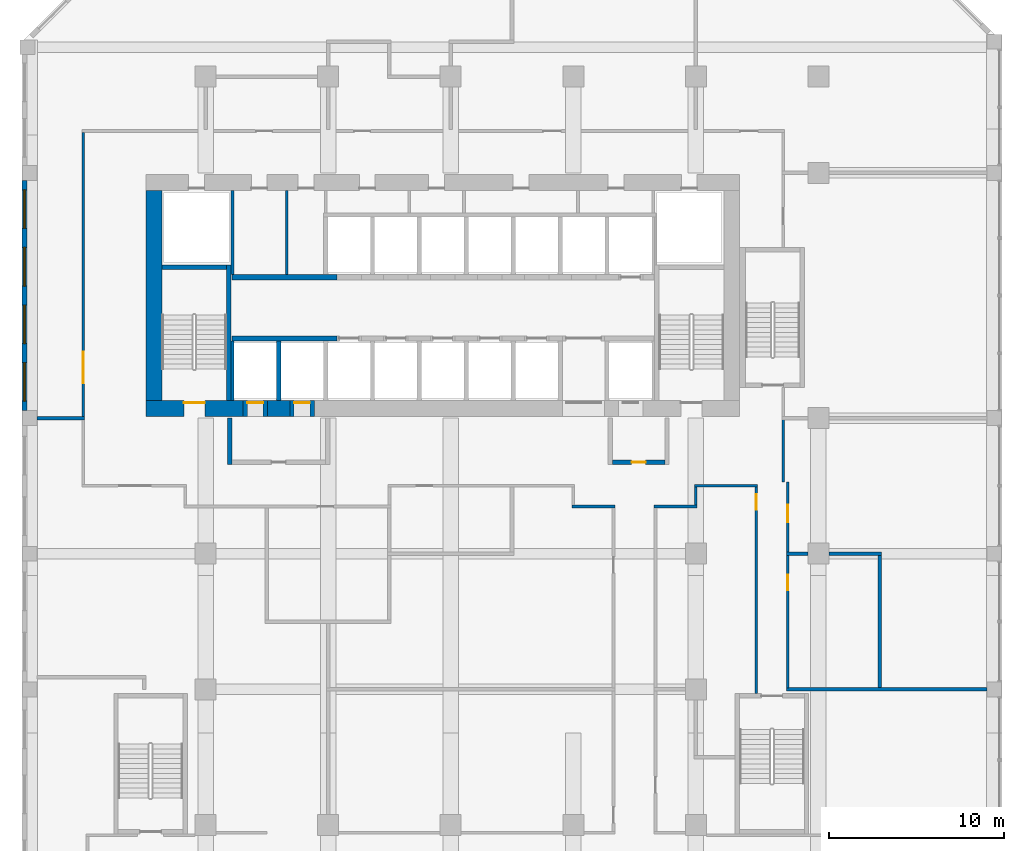
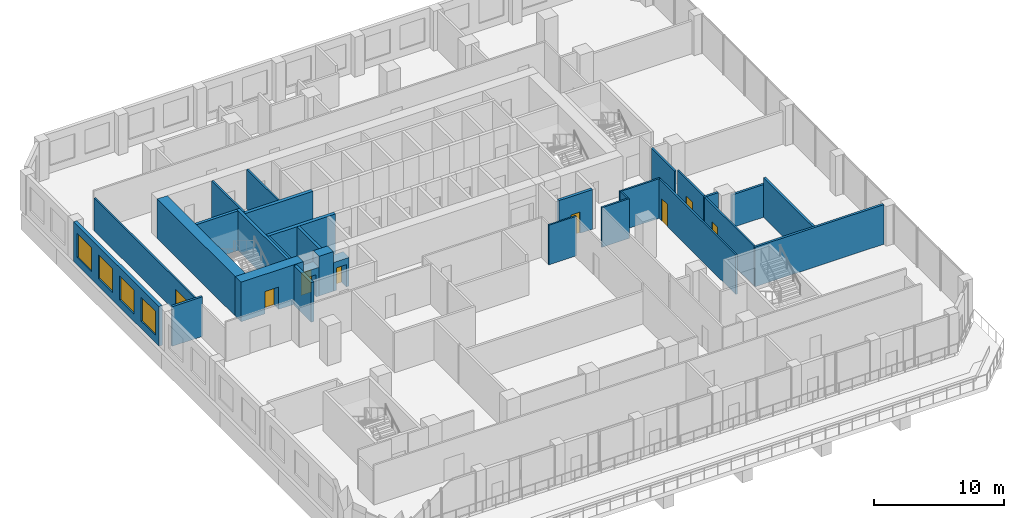
# One storey, part 11 of 17: 30 walls, 8 doors, 4 windows, 12 openings.
"""IFC4 building model written with IfcOpenShell, lengths in metres."""

from ifc_helpers import new_model, si_unit, direction, frame, frame_2d, origin, place, context, subcontext, project, spatial, rectangle, extrude, source, transform, mapped, material, layer, layer_set, type_object, element, fill, save


model = new_model("IFC4")

# Units and contexts
model_context = context("Model", 3, precision=1e-05, world=origin(), true_north=direction((0.0, 1.0)))
body_context = subcontext(model_context, "Body", "Model", "MODEL_VIEW")
ifc_project = project(units=[si_unit("LENGTHUNIT", "METRE"), si_unit("AREAUNIT", "SQUARE_METRE"), si_unit("VOLUMEUNIT", "CUBIC_METRE"), si_unit("PLANEANGLEUNIT", "RADIAN"), si_unit("MASSUNIT", "GRAM", prefix="KILO")], contexts=[model_context])

# Site, building, storey
site_placement = place(None, origin())
site = spatial("IfcSite", under=ifc_project, at=site_placement, CompositionType="ELEMENT")
building_placement = place(site_placement, origin())
building = spatial("IfcBuilding", under=site, at=building_placement, Name="Kilnfold Tower and Market Hall", CompositionType="ELEMENT")
storey_placement = place(building_placement, frame((0.0, 0.0, 100.60009765625)))
storey = spatial("IfcBuildingStorey", under=building, at=storey_placement, Name="L23", CompositionType="ELEMENT", Elevation=100.60009765625)

# Wall
ifc_material_1 = material(Name="Gypsum board on steel studs", Category="steel")
ifc_layer_1 = layer(ifc_material_1, 0.14990234375)
ifc_layer_set_1 = layer_set([ifc_layer_1], Name="Gypsum board on steel studs")
wall_type_1 = type_object("IfcWallType", Name="WALL CORRIDOR 150", PredefinedType="PARTITIONING", material=ifc_layer_set_1)
wall_1_placement = place(storey_placement, frame((8.425048828125, 2.949951171875, 0.0), z_axis=(0.0, 0.0, 1.0), x_axis=(1.0, 0.0, 0.0)))
element("IfcWall", 1, at=wall_1_placement, inside=storey, type_object=wall_type_1, Name="Partition LY16.17", PredefinedType="PARTITIONING", context=body_context, shape_type="SweptSolid", body=[
    extrude(rectangle(XDim=2.449951171875, YDim=0.14990234375, at=frame_2d((1.22509765625, 0.0))), origin(), (0.0, 0.0, 1.0), 3.719970703125),
])

# Wall, opening, door
wall_2_placement = place(storey_placement, frame((18.949951171875, 4.050048828125, 0.0), z_axis=(0.0, 0.0, 1.0), x_axis=(0.0, -1.0, 0.0)))
wall_2 = element("IfcWall", 2, at=wall_2_placement, inside=storey, type_object=wall_type_1, Name="Partition LY16.23", PredefinedType="PARTITIONING", context=body_context, shape_type="SweptSolid", body=[
    extrude(rectangle(XDim=11.800048828125, YDim=0.14990234375, at=frame_2d((5.89990234375, 0.0))), origin(), (0.0, 0.0, 1.0), 3.719970703125),
])
opening_1_placement = place(wall_2_placement, frame((0.39990234375, 0.0, 0.0)))
opening_1 = element("IfcOpeningElement", 3, at=opening_1_placement, cuts=wall_2, Name="Opening D2", PredefinedType="OPENING", context=body_context, shape_type="SweptSolid", body=[
    extrude(rectangle(XDim=0.89990234375, YDim=2.10009765625, at=frame_2d((0.449951171875, 1.050048828125))), frame((0.0, 0.0849609375, 0.0), z_axis=(0.0, -1.0, 0.0), x_axis=(1.0, 0.0, 0.0)), (0.0, 0.0, 1.0), 0.169921875),
])
ifc_material_2 = material(Name="Timber veneer door leaf in steel frame", Category="steel")
door_type_1 = type_object("IfcDoorType", Name="DOOR ROOM 900 X2100", OperationType="NOTDEFINED", PredefinedType="DOOR", material=ifc_material_2)
door_1_placement = place(opening_1_placement, origin())
door_1 = element("IfcDoor", 4, at=door_1_placement, inside=storey, type_object=door_type_1, Name="Door D2", OperationType="SINGLE_SWING_LEFT", OverallHeight=2.10009765625, OverallWidth=0.89990234375, PredefinedType="DOOR", context=body_context, shape_type="SweptSolid", body=[
    extrude(rectangle(XDim=0.89990234375, YDim=2.10009765625, at=frame_2d((0.449951171875, 1.050048828125))), frame((0.0, 0.02490234375, 0.0), z_axis=(0.0, -1.0, 0.0), x_axis=(1.0, 0.0, 0.0)), (0.0, 0.0, 1.0), 0.050048828125),
])
fill(opening_1, door_1)

# Walls
wall_3_placement = place(storey_placement, frame((15.425048828125, 4.125, 0.0), z_axis=(0.0, 0.0, 1.0), x_axis=(1.0, 0.0, 0.0)))
element("IfcWall", 5, at=wall_3_placement, inside=storey, type_object=wall_type_1, Name="Partition LY16.24", PredefinedType="PARTITIONING", context=body_context, shape_type="SweptSolid", body=[
    extrude(rectangle(XDim=3.599853515625, YDim=0.14990234375, at=frame_2d((1.7998046875, 0.0))), origin(), (0.0, 0.0, 1.0), 3.719970703125),
])
wall_4_placement = place(storey_placement, frame((15.5, 3.02490234375, 0.0), z_axis=(0.0, 0.0, 1.0), x_axis=(0.0, 1.0, 0.0)))
element("IfcWall", 6, at=wall_4_placement, inside=storey, type_object=wall_type_1, Name="Partition LY16.25", PredefinedType="PARTITIONING", context=body_context, shape_type="SweptSolid", body=[
    extrude(rectangle(XDim=1.025146484375, YDim=0.14990234375, at=frame_2d((0.5126953125, 0.0))), origin(), (0.0, 0.0, 1.0), 3.719970703125),
])
wall_5_placement = place(storey_placement, frame((13.125, 2.949951171875, 0.0), z_axis=(0.0, 0.0, 1.0), x_axis=(1.0, 0.0, 0.0)))
element("IfcWall", 7, at=wall_5_placement, inside=storey, type_object=wall_type_1, Name="Partition LY16.26", PredefinedType="PARTITIONING", context=body_context, shape_type="SweptSolid", body=[
    extrude(rectangle(XDim=2.449951171875, YDim=0.14990234375, at=frame_2d((1.22509765625, 0.0))), origin(), (0.0, 0.0, 1.0), 3.719970703125),
])

# Wall, opening, door
wall_6_placement = place(storey_placement, frame((20.75, -7.409912109375, 0.0), z_axis=(0.0, 0.0, 1.0), x_axis=(0.0, 1.0, 0.0)))
wall_6 = element("IfcWall", 8, at=wall_6_placement, inside=storey, type_object=wall_type_1, Name="Partition LY16.28", PredefinedType="PARTITIONING", context=body_context, shape_type="SweptSolid", body=[
    extrude(rectangle(XDim=7.56982421875, YDim=0.14990234375, at=frame_2d((3.784912109375, 0.0))), origin(), (0.0, 0.0, 1.0), 3.719970703125),
])
opening_2_placement = place(wall_6_placement, frame((5.56005859375, 0.0, 0.0)))
opening_2 = element("IfcOpeningElement", 9, at=opening_2_placement, cuts=wall_6, Name="Opening D2", PredefinedType="OPENING", context=body_context, shape_type="SweptSolid", body=[
    extrude(rectangle(XDim=0.89990234375, YDim=2.10009765625, at=frame_2d((0.449951171875, 1.050048828125))), frame((0.0, 0.0849609375, 0.0), z_axis=(0.0, -1.0, 0.0), x_axis=(1.0, 0.0, 0.0)), (0.0, 0.0, 1.0), 0.169921875),
])
door_2_placement = place(opening_2_placement, origin())
door_2 = element("IfcDoor", 10, at=door_2_placement, inside=storey, type_object=door_type_1, Name="Door D2", OperationType="SINGLE_SWING_RIGHT", OverallHeight=2.10009765625, OverallWidth=0.89990234375, PredefinedType="DOOR", context=body_context, shape_type="SweptSolid", body=[
    extrude(rectangle(XDim=0.89990234375, YDim=2.10009765625, at=frame_2d((0.449951171875, 1.050048828125))), frame((0.0, 0.02490234375, 0.0), z_axis=(0.0, -1.0, 0.0), x_axis=(1.0, 0.0, 0.0)), (0.0, 0.0, 1.0), 0.050048828125),
])
fill(opening_2, door_2)

# Wall
wall_7_placement = place(storey_placement, frame((20.5, 4.35009765625, 0.0), z_axis=(0.0, 0.0, 1.0), x_axis=(0.0, 1.0, 0.0)))
element("IfcWall", 11, at=wall_7_placement, inside=storey, type_object=wall_type_1, Name="Partition LY16.29", PredefinedType="PARTITIONING", context=body_context, shape_type="SweptSolid", body=[
    extrude(rectangle(XDim=3.559814453125, YDim=0.14990234375, at=frame_2d((1.77978515625, 0.0))), origin(), (0.0, 0.0, 1.0), 3.719970703125),
])

# Wall, opening, door
wall_8_placement = place(storey_placement, frame((20.75, 0.340087890625, 0.0), z_axis=(0.0, 0.0, 1.0), x_axis=(0.0, 1.0, 0.0)))
wall_8 = element("IfcWall", 12, at=wall_8_placement, inside=storey, type_object=wall_type_1, Name="Partition LY16.30", PredefinedType="PARTITIONING", context=body_context, shape_type="SweptSolid", body=[
    extrude(rectangle(XDim=4.010009765625, YDim=0.14990234375, at=frame_2d((2.0048828125, 0.0))), origin(), (0.0, 0.0, 1.0), 3.719970703125),
])
opening_3_placement = place(wall_8_placement, frame((1.7060546875, 0.0, 0.0)))
opening_3 = element("IfcOpeningElement", 13, at=opening_3_placement, cuts=wall_8, Name="Opening D1", PredefinedType="OPENING", context=body_context, shape_type="SweptSolid", body=[
    extrude(rectangle(XDim=1.0, YDim=2.10009765625, at=frame_2d((0.5, 1.050048828125))), frame((0.0, 0.0849609375, 0.0), z_axis=(0.0, -1.0, 0.0), x_axis=(1.0, 0.0, 0.0)), (0.0, 0.0, 1.0), 0.169921875),
])
ifc_material_3 = material(Name="Timber veneer door leaf in steel frame", Category="steel")
door_type_2 = type_object("IfcDoorType", Name="DOOR ENTRY 1000 X2100", OperationType="NOTDEFINED", PredefinedType="DOOR", material=ifc_material_3)
door_3_placement = place(opening_3_placement, origin())
door_3 = element("IfcDoor", 14, at=door_3_placement, inside=storey, type_object=door_type_2, Name="Door D1", OperationType="SINGLE_SWING_RIGHT", OverallHeight=2.10009765625, OverallWidth=1.0, PredefinedType="DOOR", context=body_context, shape_type="SweptSolid", body=[
    extrude(rectangle(XDim=1.0, YDim=2.10009765625, at=frame_2d((0.5, 1.050048828125))), frame((0.0, 0.02490234375, 0.0), z_axis=(0.0, -1.0, 0.0), x_axis=(1.0, 0.0, 0.0)), (0.0, 0.0, 1.0), 0.050048828125),
])
fill(opening_3, door_3)

wall_9_placement = place(storey_placement, frame((-19.5, 8.090087890625, 0.0), z_axis=(0.0, 0.0, 1.0), x_axis=(0.0, 1.0, 0.0)))
wall_9 = element("IfcWall", 15, at=wall_9_placement, inside=storey, type_object=wall_type_1, Name="Partition LY16.34", PredefinedType="PARTITIONING", context=body_context, shape_type="SweptSolid", body=[
    extrude(rectangle(XDim=16.23486328125, YDim=0.14990234375, at=frame_2d((8.117431640625, 0.0))), origin(), (0.0, 0.0, 1.0), 3.06982421875),
])
opening_4_placement = place(wall_9_placement, frame((1.904052734375, 0.0, 0.0)))
opening_4 = element("IfcOpeningElement", 16, at=opening_4_placement, cuts=wall_9, Name="Opening D5", PredefinedType="OPENING", context=body_context, shape_type="SweptSolid", body=[
    extrude(rectangle(XDim=1.800048828125, YDim=2.10009765625, at=frame_2d((0.89990234375, 1.050048828125))), frame((0.0, 0.0849609375, 0.0), z_axis=(0.0, -1.0, 0.0), x_axis=(1.0, 0.0, 0.0)), (0.0, 0.0, 1.0), 0.169921875),
])
ifc_material_4 = material(Name="Timber veneer door leaf in steel frame", Category="steel")
door_type_3 = type_object("IfcDoorType", Name="DOOR DOUBLE 1800 X2100", OperationType="NOTDEFINED", PredefinedType="DOOR", material=ifc_material_4)
door_4_placement = place(opening_4_placement, origin())
door_4 = element("IfcDoor", 17, at=door_4_placement, inside=storey, type_object=door_type_3, Name="Door D5", OperationType="DOUBLE_DOOR_SINGLE_SWING", OverallHeight=2.10009765625, OverallWidth=1.800048828125, PredefinedType="DOOR", context=body_context, shape_type="SweptSolid", body=[
    extrude(rectangle(XDim=1.800048828125, YDim=2.10009765625, at=frame_2d((0.89990234375, 1.050048828125))), frame((0.0, 0.02490234375, 0.0), z_axis=(0.0, -1.0, 0.0), x_axis=(1.0, 0.0, 0.0)), (0.0, 0.0, 1.0), 0.050048828125),
])
fill(opening_4, door_4)

# Walls
ifc_material_5 = material(Name="Gypsum board on steel studs", Category="steel")
ifc_layer_2 = layer(ifc_material_5, 0.199951171875)
ifc_layer_set_2 = layer_set([ifc_layer_2], Name="Gypsum board on steel studs")
wall_type_2 = type_object("IfcWallType", Name="WALL PARTY 200", PredefinedType="PARTITIONING", material=ifc_layer_set_2)
wall_10_placement = place(storey_placement, frame((-22.125, 8.0, 0.0), z_axis=(0.0, 0.0, 1.0), x_axis=(1.0, 0.0, 0.0)))
element("IfcWall", 18, at=wall_10_placement, inside=storey, type_object=wall_type_2, Name="Partition LY16.42", PredefinedType="PARTITIONING", context=body_context, shape_type="SweptSolid", body=[
    extrude(rectangle(XDim=2.698974609375, YDim=0.199951171875, at=frame_2d((1.349609375, 0.0))), origin(), (0.0, 0.0, 1.0), 3.719970703125),
])
wall_11_placement = place(storey_placement, frame((20.676025390625, -7.5, 0.0), z_axis=(0.0, 0.0, 1.0), x_axis=(1.0, 0.0, 0.0)))
element("IfcWall", 19, at=wall_11_placement, inside=storey, type_object=wall_type_2, Name="Partition LY16.53", PredefinedType="PARTITIONING", context=body_context, shape_type="SweptSolid", body=[
    extrude(rectangle(XDim=11.448974609375, YDim=0.199951171875, at=frame_2d((5.724609375, 0.0))), origin(), (0.0, 0.0, 1.0), 3.719970703125),
])
wall_12_placement = place(storey_placement, frame((20.676025390625, 0.25, 0.0), z_axis=(0.0, 0.0, 1.0), x_axis=(1.0, 0.0, 0.0)))
element("IfcWall", 20, at=wall_12_placement, inside=storey, type_object=wall_type_2, Name="Partition LY16.54", PredefinedType="PARTITIONING", context=body_context, shape_type="SweptSolid", body=[
    extrude(rectangle(XDim=1.223876953125, YDim=0.199951171875, at=frame_2d((0.61181640625, 0.0))), origin(), (0.0, 0.0, 1.0), 3.719970703125),
])
wall_13_placement = place(storey_placement, frame((23.10009765625, 0.25, 0.0), z_axis=(0.0, 0.0, 1.0), x_axis=(1.0, 0.0, 0.0)))
element("IfcWall", 21, at=wall_13_placement, inside=storey, type_object=wall_type_2, Name="Partition LY16.55", PredefinedType="PARTITIONING", context=body_context, shape_type="SweptSolid", body=[
    extrude(rectangle(XDim=3.0, YDim=0.199951171875, at=frame_2d((1.5, 0.0))), origin(), (0.0, 0.0, 1.0), 3.06982421875),
])
wall_14_placement = place(storey_placement, frame((26.0, -7.39990234375, 0.0), z_axis=(0.0, 0.0, 1.0), x_axis=(0.0, 1.0, 0.0)))
element("IfcWall", 22, at=wall_14_placement, inside=storey, type_object=wall_type_2, Name="Partition LY16.56", PredefinedType="PARTITIONING", context=body_context, shape_type="SweptSolid", body=[
    extrude(rectangle(XDim=7.5498046875, YDim=0.199951171875, at=frame_2d((3.77490234375, 0.0))), origin(), (0.0, 0.0, 1.0), 3.719970703125),
])
ifc_material_6 = material(Name="Concrete C70", Category="concrete")
ifc_layer_3 = layer(ifc_material_6, 0.25)
ifc_layer_set_3 = layer_set([ifc_layer_3], Name="Concrete C70")
wall_type_3 = type_object("IfcWallType", Name="CORE WALL 250 C70", PredefinedType="SHEAR", material=ifc_layer_set_3)
shared_shape_1 = source(origin(), body_context, "Body", "SweptSolid", [
    extrude(rectangle(XDim=7.75, YDim=0.25, at=frame_2d((3.875, 0.0))), origin(), (0.0, 0.0, 1.0), 3.719970703125),
])
wall_15_placement = place(storey_placement, frame((-11.175048828125, 9.0, 0.0), z_axis=(0.0, 0.0, 1.0), x_axis=(0.0, 1.0, 0.0)))
element("IfcWall", 23, at=wall_15_placement, inside=storey, type_object=wall_type_3, Name="Stair enclosure ST1", PredefinedType="SHEAR", context=body_context, shape_type="MappedRepresentation", body=[
    mapped(shared_shape_1, transform((0.0, 0.0, 0.0))),
])
shared_shape_2 = source(origin(), body_context, "Body", "SweptSolid", [
    extrude(rectangle(XDim=3.699951171875, YDim=0.25, at=frame_2d((1.85009765625, 0.0))), origin(), (0.0, 0.0, 1.0), 3.719970703125),
])
wall_16_placement = place(storey_placement, frame((-15.0, 16.625, 0.0), z_axis=(0.0, 0.0, 1.0), x_axis=(1.0, 0.0, 0.0)))
element("IfcWall", 24, at=wall_16_placement, inside=storey, type_object=wall_type_3, Name="Stair enclosure ST1", PredefinedType="SHEAR", context=body_context, shape_type="MappedRepresentation", body=[
    mapped(shared_shape_2, transform((0.0, 0.0, 0.0))),
])
ifc_material_7 = material(Name="Concrete C70", Category="concrete")
ifc_layer_4 = layer(ifc_material_7, 0.300048828125)
ifc_layer_set_4 = layer_set([ifc_layer_4], Name="Concrete C70")
wall_type_4 = type_object("IfcWallType", Name="CORE WALL 300 C70", PredefinedType="SHEAR", material=ifc_layer_set_4)
shared_shape_3 = source(origin(), body_context, "Body", "SweptSolid", [
    extrude(rectangle(XDim=6.0, YDim=0.300048828125, at=frame_2d((3.0, 0.0))), origin(), (0.0, 0.0, 1.0), 3.719970703125),
])
for number, where, z_axis, x_axis, name in (
    (25, (-11.010009765625, 12.550048828125, 0.0), (0.0, 0.0, 1.0), (1.0, 0.0, 0.0), "Core spine wall"),
    (26, (-11.010009765625, 16.050048828125, 0.0), (0.0, 0.0, 1.0), (1.0, 0.0, 0.0), "Core spine wall"),
):
    element("IfcWall", number, at=place(storey_placement, frame(where, z_axis=z_axis, x_axis=x_axis)), inside=storey, type_object=wall_type_4, Name=name, PredefinedType="SHEAR", context=body_context, shape_type="MappedRepresentation", body=[
        mapped(shared_shape_3, transform((0.0, 0.0, 0.0))),
    ])

# Wall, opening, door
ifc_material_8 = material(Name="Concrete C70", Category="concrete")
ifc_layer_5 = layer(ifc_material_8, 0.89990234375)
ifc_layer_set_5 = layer_set([ifc_layer_5], Name="Concrete C70")
wall_type_5 = type_object("IfcWallType", Name="CORE WALL 900 C70", PredefinedType="SHEAR", material=ifc_layer_set_5)
shared_shape_4 = source(origin(), body_context, "Body", "SweptSolid", [
    extrude(rectangle(XDim=5.52978515625, YDim=0.89990234375, at=frame_2d((2.764892578125, 0.0))), origin(), (0.0, 0.0, 1.0), 3.719970703125),
])
wall_17_placement = place(storey_placement, frame((-15.89990234375, 8.550048828125, 0.0), z_axis=(0.0, 0.0, 1.0), x_axis=(1.0, 0.0, 0.0)))
wall_17 = element("IfcWall", 27, at=wall_17_placement, inside=storey, type_object=wall_type_5, Name="Core outer wall south", PredefinedType="SHEAR", context=body_context, shape_type="MappedRepresentation", body=[
    mapped(shared_shape_4, transform((0.0, 0.0, 0.0))),
])
opening_5_placement = place(wall_17_placement, frame((2.14990234375, 0.0, 0.0)))
opening_5 = element("IfcOpeningElement", 28, at=opening_5_placement, cuts=wall_17, Name="Opening SD1", PredefinedType="OPENING", context=body_context, shape_type="SweptSolid", body=[
    extrude(rectangle(XDim=1.199951171875, YDim=2.10009765625, at=frame_2d((0.60009765625, 1.050048828125))), frame((0.0, 0.4599609375, 0.0), z_axis=(0.0, -1.0, 0.0), x_axis=(1.0, 0.0, 0.0)), (0.0, 0.0, 1.0), 0.919921875),
])
ifc_material_9 = material(Name="Steel door set with fire-resisting leaf", Category="steel")
door_type_4 = type_object("IfcDoorType", Name="STAIR FLOOR DOOR 1200X2100", OperationType="NOTDEFINED", PredefinedType="DOOR", material=ifc_material_9)
door_5_placement = place(opening_5_placement, origin())
door_5 = element("IfcDoor", 29, at=door_5_placement, inside=storey, type_object=door_type_4, Name="Exit stair ST1 door", OperationType="DOUBLE_DOOR_SINGLE_SWING", OverallHeight=2.10009765625, OverallWidth=1.199951171875, PredefinedType="DOOR", context=body_context, shape_type="SweptSolid", body=[
    extrude(rectangle(XDim=1.199951171875, YDim=2.10009765625, at=frame_2d((0.60009765625, 1.050048828125))), frame((0.0, 0.35498046875, 0.0), z_axis=(0.0, -1.0, 0.0), x_axis=(1.0, 0.0, 0.0)), (0.0, 0.0, 1.0), 0.050048828125),
])
fill(opening_5, door_5)

# Walls
shared_shape_5 = source(origin(), body_context, "Body", "SweptSolid", [
    extrude(rectangle(XDim=1.280029296875, YDim=0.89990234375, at=frame_2d((0.64013671875, 0.0))), origin(), (0.0, 0.0, 1.0), 3.719970703125),
])
wall_18_placement = place(storey_placement, frame((-8.969970703125, 8.550048828125, 0.0), z_axis=(0.0, 0.0, 1.0), x_axis=(1.0, 0.0, 0.0)))
element("IfcWall", 30, at=wall_18_placement, inside=storey, type_object=wall_type_5, Name="Core outer wall south", PredefinedType="SHEAR", context=body_context, shape_type="MappedRepresentation", body=[
    mapped(shared_shape_5, transform((0.0, 0.0, 0.0))),
])
shared_shape_6 = source(origin(), body_context, "Body", "SweptSolid", [
    extrude(rectangle(XDim=12.0, YDim=0.89990234375, at=frame_2d((6.0, 0.0))), origin(), (0.0, 0.0, 1.0), 3.719970703125),
])
wall_19_placement = place(storey_placement, frame((-15.449951171875, 9.0, 0.0), z_axis=(0.0, 0.0, 1.0), x_axis=(0.0, 1.0, 0.0)))
element("IfcWall", 31, at=wall_19_placement, inside=storey, type_object=wall_type_5, Name="Core outer wall west", PredefinedType="SHEAR", context=body_context, shape_type="MappedRepresentation", body=[
    mapped(shared_shape_6, transform((0.0, 0.0, 0.0))),
])

# Wall, openings, windows
ifc_material_10 = material(Name="Precast concrete C50/60", Category="concrete")
ifc_layer_6 = layer(ifc_material_10, 0.300048828125)
ifc_layer_set_6 = layer_set([ifc_layer_6], Name="Precast concrete C50/60")
wall_type_6 = type_object("IfcWallType", Name="PRECAST WALL 300", PredefinedType="SOLIDWALL", material=ifc_layer_set_6)
shared_shape_7 = source(origin(), body_context, "Body", "SweptSolid", [
    extrude(rectangle(XDim=13.14990234375, YDim=0.300048828125, at=frame_2d((6.574951171875, 0.0))), origin(), (0.0, 0.0, 1.0), 3.719970703125),
])
wall_20_placement = place(storey_placement, frame((-22.85009765625, 21.574951171875, 0.0), z_axis=(0.0, 0.0, 1.0), x_axis=(0.0, -1.0, 0.0)))
wall_20 = element("IfcWall", 32, at=wall_20_placement, inside=storey, type_object=wall_type_6, Name="External wall L23 W", PredefinedType="SOLIDWALL", context=body_context, shape_type="MappedRepresentation", body=[
    mapped(shared_shape_7, transform((0.0, 0.0, 0.0))),
])
opening_6_placement = place(wall_20_placement, frame((0.543701171875, 0.0, 0.699951171875)))
opening_6 = element("IfcOpeningElement", 33, at=opening_6_placement, cuts=wall_20, Name="Opening W1", PredefinedType="OPENING", context=body_context, shape_type="SweptSolid", body=[
    extrude(rectangle(XDim=2.199951171875, YDim=2.25, at=frame_2d((1.10009765625, 1.125))), frame((0.0, 0.16015625, 0.0), z_axis=(0.0, -1.0, 0.0), x_axis=(1.0, 0.0, 0.0)), (0.0, 0.0, 1.0), 0.320068359375),
])
opening_7_placement = place(wall_20_placement, frame((3.831298828125, 0.0, 0.699951171875)))
opening_7 = element("IfcOpeningElement", 34, at=opening_7_placement, cuts=wall_20, Name="Opening W1", PredefinedType="OPENING", context=body_context, shape_type="SweptSolid", body=[
    extrude(rectangle(XDim=2.199951171875, YDim=2.25, at=frame_2d((1.10009765625, 1.125))), frame((0.0, 0.16015625, 0.0), z_axis=(0.0, -1.0, 0.0), x_axis=(1.0, 0.0, 0.0)), (0.0, 0.0, 1.0), 0.320068359375),
])
opening_8_placement = place(wall_20_placement, frame((7.118896484375, 0.0, 0.699951171875)))
opening_8 = element("IfcOpeningElement", 35, at=opening_8_placement, cuts=wall_20, Name="Opening W1", PredefinedType="OPENING", context=body_context, shape_type="SweptSolid", body=[
    extrude(rectangle(XDim=2.199951171875, YDim=2.25, at=frame_2d((1.10009765625, 1.125))), frame((0.0, 0.16015625, 0.0), z_axis=(0.0, -1.0, 0.0), x_axis=(1.0, 0.0, 0.0)), (0.0, 0.0, 1.0), 0.320068359375),
])
opening_9_placement = place(wall_20_placement, frame((10.40625, 0.0, 0.699951171875)))
opening_9 = element("IfcOpeningElement", 36, at=opening_9_placement, cuts=wall_20, Name="Opening W1", PredefinedType="OPENING", context=body_context, shape_type="SweptSolid", body=[
    extrude(rectangle(XDim=2.199951171875, YDim=2.25, at=frame_2d((1.10009765625, 1.125))), frame((0.0, 0.16015625, 0.0), z_axis=(0.0, -1.0, 0.0), x_axis=(1.0, 0.0, 0.0)), (0.0, 0.0, 1.0), 0.320068359375),
])
ifc_material_11 = material(Name="Aluminium frame and double glazing", Category="aluminium")
window_type = type_object("IfcWindowType", Name="WINDOW W1 2200X2250", PartitioningType="SINGLE_PANEL", PredefinedType="WINDOW", material=ifc_material_11)
window_1_placement = place(opening_6_placement, origin())
window_1 = element("IfcWindow", 37, at=window_1_placement, inside=storey, type_object=window_type, Name="Window W1 L23 W-1", OverallHeight=2.25, OverallWidth=2.199951171875, PartitioningType="SINGLE_PANEL", PredefinedType="WINDOW", context=body_context, shape_type="SweptSolid", body=[
    extrude(rectangle(XDim=2.199951171875, YDim=2.25, at=frame_2d((1.10009765625, 1.125))), frame((0.0, 0.030029296875, 0.0), z_axis=(0.0, -1.0, 0.0), x_axis=(1.0, 0.0, 0.0)), (0.0, 0.0, 1.0), 0.06005859375),
])
fill(opening_6, window_1)
window_2_placement = place(opening_7_placement, origin())
window_2 = element("IfcWindow", 38, at=window_2_placement, inside=storey, type_object=window_type, Name="Window W1 L23 W-2", OverallHeight=2.25, OverallWidth=2.199951171875, PartitioningType="SINGLE_PANEL", PredefinedType="WINDOW", context=body_context, shape_type="SweptSolid", body=[
    extrude(rectangle(XDim=2.199951171875, YDim=2.25, at=frame_2d((1.10009765625, 1.125))), frame((0.0, 0.030029296875, 0.0), z_axis=(0.0, -1.0, 0.0), x_axis=(1.0, 0.0, 0.0)), (0.0, 0.0, 1.0), 0.06005859375),
])
fill(opening_7, window_2)
window_3_placement = place(opening_8_placement, origin())
window_3 = element("IfcWindow", 39, at=window_3_placement, inside=storey, type_object=window_type, Name="Window W1 L23 W-3", OverallHeight=2.25, OverallWidth=2.199951171875, PartitioningType="SINGLE_PANEL", PredefinedType="WINDOW", context=body_context, shape_type="SweptSolid", body=[
    extrude(rectangle(XDim=2.199951171875, YDim=2.25, at=frame_2d((1.10009765625, 1.125))), frame((0.0, 0.030029296875, 0.0), z_axis=(0.0, -1.0, 0.0), x_axis=(1.0, 0.0, 0.0)), (0.0, 0.0, 1.0), 0.06005859375),
])
fill(opening_8, window_3)
window_4_placement = place(opening_9_placement, origin())
window_4 = element("IfcWindow", 40, at=window_4_placement, inside=storey, type_object=window_type, Name="Window W1 L23 W-4", OverallHeight=2.25, OverallWidth=2.199951171875, PartitioningType="SINGLE_PANEL", PredefinedType="WINDOW", context=body_context, shape_type="SweptSolid", body=[
    extrude(rectangle(XDim=2.199951171875, YDim=2.25, at=frame_2d((1.10009765625, 1.125))), frame((0.0, 0.030029296875, 0.0), z_axis=(0.0, -1.0, 0.0), x_axis=(1.0, 0.0, 0.0)), (0.0, 0.0, 1.0), 0.06005859375),
])
fill(opening_9, window_4)

# Wall
ifc_material_12 = material(Name="Gypsum shaft wall system")
ifc_layer_7 = layer(ifc_material_12, 0.25)
ifc_layer_set_7 = layer_set([ifc_layer_7], Name="Gypsum shaft wall system")
wall_type_7 = type_object("IfcWallType", Name="LOBBY WALL 250", PredefinedType="PARTITIONING", material=ifc_layer_set_7)
shared_shape_8 = source(origin(), body_context, "Body", "SweptSolid", [
    extrude(rectangle(XDim=2.64990234375, YDim=0.25, at=frame_2d((1.324951171875, 0.0))), origin(), (0.0, 0.0, 1.0), 3.719970703125),
])
wall_21_placement = place(storey_placement, frame((-11.135009765625, 5.35009765625, 0.0), z_axis=(0.0, 0.0, 1.0), x_axis=(0.0, 1.0, 0.0)))
element("IfcWall", 41, at=wall_21_placement, inside=storey, type_object=wall_type_7, Name="Firefighting lobby wall", PredefinedType="PARTITIONING", context=body_context, shape_type="MappedRepresentation", body=[
    mapped(shared_shape_8, transform((0.0, 0.0, 0.0))),
])

# Wall, opening, door
shared_shape_9 = source(origin(), body_context, "Body", "SweptSolid", [
    extrude(rectangle(XDim=3.0, YDim=0.25, at=frame_2d((1.5, 0.0))), origin(), (0.0, 0.0, 1.0), 3.719970703125),
])
wall_22_placement = place(storey_placement, frame((10.72998046875, 5.47509765625, 0.0), z_axis=(0.0, 0.0, 1.0), x_axis=(1.0, 0.0, 0.0)))
wall_22 = element("IfcWall", 42, at=wall_22_placement, inside=storey, type_object=wall_type_7, Name="Firefighting lobby wall", PredefinedType="PARTITIONING", context=body_context, shape_type="MappedRepresentation", body=[
    mapped(shared_shape_9, transform((0.0, 0.0, 0.0))),
])
opening_10_placement = place(wall_22_placement, frame((1.10009765625, 0.0, 0.0)))
opening_10 = element("IfcOpeningElement", 43, at=opening_10_placement, cuts=wall_22, Name="Opening VD1", PredefinedType="OPENING", context=body_context, shape_type="SweptSolid", body=[
    extrude(rectangle(XDim=0.800048828125, YDim=2.0, at=frame_2d((0.39990234375, 1.0))), frame((0.0, 0.135009765625, 0.0), z_axis=(0.0, -1.0, 0.0), x_axis=(1.0, 0.0, 0.0)), (0.0, 0.0, 1.0), 0.27001953125),
])
ifc_material_13 = material(Name="Steel door set with fire-resisting leaf", Category="steel")
door_type_5 = type_object("IfcDoorType", Name="FIREFIGHTING LOBBY DOOR 800X2000", OperationType="NOTDEFINED", PredefinedType="DOOR", material=ifc_material_13)
door_6_placement = place(opening_10_placement, origin())
door_6 = element("IfcDoor", 44, at=door_6_placement, inside=storey, type_object=door_type_5, Name="Firefighting lobby door", OperationType="SINGLE_SWING_RIGHT", OverallHeight=2.0, OverallWidth=0.800048828125, PredefinedType="DOOR", context=body_context, shape_type="SweptSolid", body=[
    extrude(rectangle(XDim=0.800048828125, YDim=2.0, at=frame_2d((0.39990234375, 1.0))), frame((0.0, 0.02490234375, 0.0), z_axis=(0.0, -1.0, 0.0), x_axis=(1.0, 0.0, 0.0)), (0.0, 0.0, 1.0), 0.050048828125),
])
fill(opening_10, door_6)

# Walls
ifc_material_14 = material(Name="Gypsum shaft wall system")
ifc_layer_8 = layer(ifc_material_14, 0.25)
ifc_layer_set_8 = layer_set([ifc_layer_8], Name="Gypsum shaft wall system")
wall_type_8 = type_object("IfcWallType", Name="SHAFT WALL 250", PredefinedType="PARTITIONING", material=ifc_layer_set_8)
shared_shape_10 = source(origin(), body_context, "Body", "SweptSolid", [
    extrude(rectangle(XDim=3.39990234375, YDim=0.25, at=frame_2d((1.699951171875, 0.0))), origin(), (0.0, 0.0, 1.0), 3.719970703125),
])
wall_23_placement = place(storey_placement, frame((-8.330078125, 9.0, 0.0), z_axis=(0.0, 0.0, 1.0), x_axis=(0.0, 1.0, 0.0)))
element("IfcWall", 45, at=wall_23_placement, inside=storey, type_object=wall_type_8, Name="Lift shaft wall", PredefinedType="PARTITIONING", context=body_context, shape_type="MappedRepresentation", body=[
    mapped(shared_shape_10, transform((0.0, 0.0, 0.0))),
])
ifc_material_15 = material(Name="Gypsum shaft wall system")
ifc_layer_9 = layer(ifc_material_15, 0.1650390625)
ifc_layer_set_9 = layer_set([ifc_layer_9], Name="Gypsum shaft wall system")
wall_type_9 = type_object("IfcWallType", Name="SHAFT WALL 165", PredefinedType="PARTITIONING", material=ifc_layer_set_9)
shared_shape_11 = source(origin(), body_context, "Body", "SweptSolid", [
    extrude(rectangle(XDim=3.39990234375, YDim=0.1650390625, at=frame_2d((1.699951171875, 0.0))), origin(), (0.0, 0.0, 1.0), 3.719970703125),
])
wall_24_placement = place(storey_placement, frame((-10.967529296875, 9.0, 0.0), z_axis=(0.0, 0.0, 1.0), x_axis=(0.0, 1.0, 0.0)))
element("IfcWall", 46, at=wall_24_placement, inside=storey, type_object=wall_type_9, Name="Lift shaft wall", PredefinedType="PARTITIONING", context=body_context, shape_type="MappedRepresentation", body=[
    mapped(shared_shape_11, transform((0.0, 0.0, 0.0))),
])
shared_shape_12 = source(origin(), body_context, "Body", "SweptSolid", [
    extrude(rectangle(XDim=4.800048828125, YDim=0.1650390625, at=frame_2d((2.39990234375, 0.0))), origin(), (0.0, 0.0, 1.0), 3.719970703125),
])
wall_25_placement = place(storey_placement, frame((-10.967529296875, 16.199951171875, 0.0), z_axis=(0.0, 0.0, 1.0), x_axis=(0.0, 1.0, 0.0)))
element("IfcWall", 47, at=wall_25_placement, inside=storey, type_object=wall_type_9, Name="Lift shaft wall", PredefinedType="PARTITIONING", context=body_context, shape_type="MappedRepresentation", body=[
    mapped(shared_shape_12, transform((0.0, 0.0, 0.0))),
])
ifc_material_16 = material(Name="Gypsum shaft wall system")
ifc_layer_10 = layer(ifc_material_16, 0.14990234375)
ifc_layer_set_10 = layer_set([ifc_layer_10], Name="Gypsum shaft wall system")
wall_type_10 = type_object("IfcWallType", Name="ROOM WALL 150", PredefinedType="PARTITIONING", material=ifc_layer_set_10)
shared_shape_13 = source(origin(), body_context, "Body", "SweptSolid", [
    extrude(rectangle(XDim=4.800048828125, YDim=0.14990234375, at=frame_2d((2.39990234375, 0.0))), origin(), (0.0, 0.0, 1.0), 3.719970703125),
])
wall_26_placement = place(storey_placement, frame((-7.87451171875, 16.199951171875, 0.0), z_axis=(0.0, 0.0, 1.0), x_axis=(0.0, 1.0, 0.0)))
element("IfcWall", 48, at=wall_26_placement, inside=storey, type_object=wall_type_10, Name="Core room wall", PredefinedType="PARTITIONING", context=body_context, shape_type="MappedRepresentation", body=[
    mapped(shared_shape_13, transform((0.0, 0.0, 0.0))),
])

# Wall, opening, door
ifc_material_17 = material(Name="Gypsum shaft wall system")
ifc_layer_11 = layer(ifc_material_17, 0.89990234375)
ifc_layer_set_11 = layer_set([ifc_layer_11], Name="Gypsum shaft wall system")
wall_type_11 = type_object("IfcWallType", Name="LOBBY WALL 900", PredefinedType="PARTITIONING", material=ifc_layer_set_11)
shared_shape_14 = source(origin(), body_context, "Body", "SweptSolid", [
    extrude(rectangle(XDim=1.400146484375, YDim=0.89990234375, at=frame_2d((0.7001953125, 0.0))), origin(), (0.0, 0.0, 1.0), 2.699951171875),
])
wall_27_placement = place(storey_placement, frame((-10.3701171875, 8.550048828125, 0.0), z_axis=(0.0, 0.0, 1.0), x_axis=(1.0, 0.0, 0.0)))
wall_27 = element("IfcWall", 49, at=wall_27_placement, inside=storey, type_object=wall_type_11, Name="Core wall infill", PredefinedType="PARTITIONING", context=body_context, shape_type="MappedRepresentation", body=[
    mapped(shared_shape_14, transform((0.0, 0.0, 0.0))),
])
opening_11_placement = place(wall_27_placement, frame((0.25, 0.0, 0.0)))
opening_11 = element("IfcOpeningElement", 50, at=opening_11_placement, cuts=wall_27, Name="Opening LD1", PredefinedType="OPENING", context=body_context, shape_type="SweptSolid", body=[
    extrude(rectangle(XDim=0.89990234375, YDim=2.10009765625, at=frame_2d((0.449951171875, 1.050048828125))), frame((0.0, 0.4599609375, 0.0), z_axis=(0.0, -1.0, 0.0), x_axis=(1.0, 0.0, 0.0)), (0.0, 0.0, 1.0), 0.919921875),
])
ifc_material_18 = material(Name="Steel door set with fire-resisting leaf", Category="steel")
door_type_6 = type_object("IfcDoorType", Name="FIREFIGHTING LANDING DOOR 900X2100", OperationType="NOTDEFINED", PredefinedType="DOOR", material=ifc_material_18)
door_7_placement = place(opening_11_placement, origin())
door_7 = element("IfcDoor", 51, at=door_7_placement, inside=storey, type_object=door_type_6, Name="Landing door FF1", OperationType="SLIDING_TO_LEFT", OverallHeight=2.10009765625, OverallWidth=0.89990234375, PredefinedType="DOOR", context=body_context, shape_type="SweptSolid", body=[
    extrude(rectangle(XDim=0.89990234375, YDim=2.10009765625, at=frame_2d((0.449951171875, 1.050048828125))), frame((0.0, 0.35498046875, 0.0), z_axis=(0.0, -1.0, 0.0), x_axis=(1.0, 0.0, 0.0)), (0.0, 0.0, 1.0), 0.050048828125),
])
fill(opening_11, door_7)

shared_shape_15 = source(origin(), body_context, "Body", "SweptSolid", [
    extrude(rectangle(XDim=1.39990234375, YDim=0.89990234375, at=frame_2d((0.699951171875, 0.0))), origin(), (0.0, 0.0, 1.0), 2.699951171875),
])
wall_28_placement = place(storey_placement, frame((-7.68994140625, 8.550048828125, 0.0), z_axis=(0.0, 0.0, 1.0), x_axis=(1.0, 0.0, 0.0)))
wall_28 = element("IfcWall", 52, at=wall_28_placement, inside=storey, type_object=wall_type_11, Name="Core wall infill", PredefinedType="PARTITIONING", context=body_context, shape_type="MappedRepresentation", body=[
    mapped(shared_shape_15, transform((0.0, 0.0, 0.0))),
])
opening_12_placement = place(wall_28_placement, frame((0.25, 0.0, 0.0)))
opening_12 = element("IfcOpeningElement", 53, at=opening_12_placement, cuts=wall_28, Name="Opening LD1", PredefinedType="OPENING", context=body_context, shape_type="SweptSolid", body=[
    extrude(rectangle(XDim=0.89990234375, YDim=2.10009765625, at=frame_2d((0.449951171875, 1.050048828125))), frame((0.0, 0.4599609375, 0.0), z_axis=(0.0, -1.0, 0.0), x_axis=(1.0, 0.0, 0.0)), (0.0, 0.0, 1.0), 0.919921875),
])
door_8_placement = place(opening_12_placement, origin())
door_8 = element("IfcDoor", 54, at=door_8_placement, inside=storey, type_object=door_type_6, Name="Landing door FF2", OperationType="SLIDING_TO_RIGHT", OverallHeight=2.10009765625, OverallWidth=0.89990234375, PredefinedType="DOOR", context=body_context, shape_type="SweptSolid", body=[
    extrude(rectangle(XDim=0.89990234375, YDim=2.10009765625, at=frame_2d((0.449951171875, 1.050048828125))), frame((0.0, 0.35498046875, 0.0), z_axis=(0.0, -1.0, 0.0), x_axis=(1.0, 0.0, 0.0)), (0.0, 0.0, 1.0), 0.050048828125),
])
fill(opening_12, door_8)

save(model, "model.ifc")
